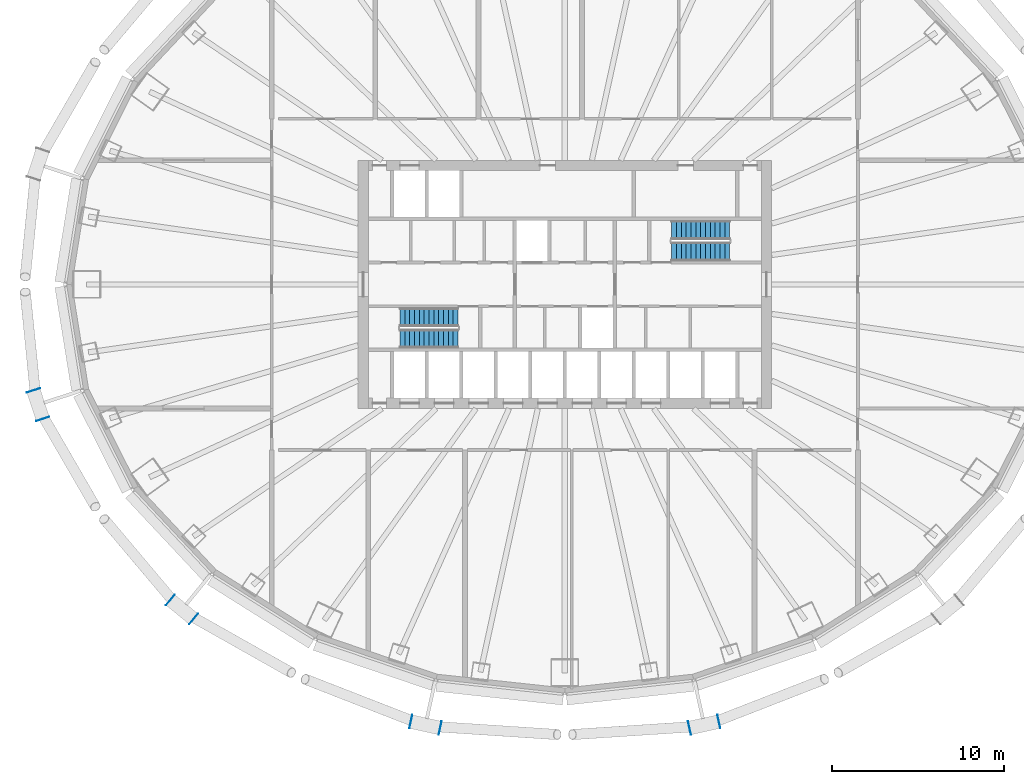
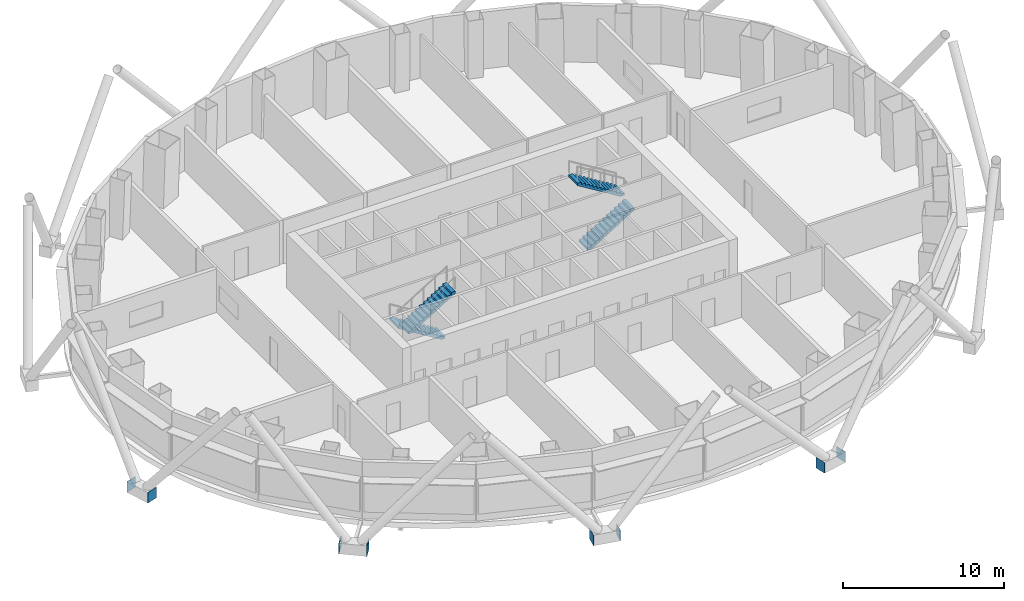
# One storey, part 7 of 14: 8 discrete accessories, 4 stair flights, 2 elements without a shape of their own.
"""IFC4 building model written with IfcOpenShell, lengths in metres."""

from ifc_helpers import new_model, si_unit, direction, frame, origin, origin_2d, place, context, subcontext, project, spatial, polyline, rectangle, outline, extrude, material, layer, layer_set, type_object, element, aggregate, save


model = new_model("IFC4")

# Units and contexts
model_context = context("Model", 3, precision=1e-05, world=origin(), true_north=direction((0.0, 1.0)))
body_context = subcontext(model_context, "Body", "Model", "MODEL_VIEW")
ifc_project = project(units=[si_unit("LENGTHUNIT", "METRE"), si_unit("AREAUNIT", "SQUARE_METRE"), si_unit("VOLUMEUNIT", "CUBIC_METRE"), si_unit("PLANEANGLEUNIT", "RADIAN"), si_unit("MASSUNIT", "GRAM", prefix="KILO")], contexts=[model_context])

# Site, building, storey
site_placement = place(None, origin())
site = spatial("IfcSite", under=ifc_project, at=site_placement, CompositionType="ELEMENT")
building_placement = place(site_placement, origin())
building = spatial("IfcBuilding", under=site, at=building_placement, Name="Siaravel Broadcast Tower", CompositionType="ELEMENT")
storey_placement = place(building_placement, frame((0.0, 0.0, 20.0)))
storey = spatial("IfcBuildingStorey", under=building, at=storey_placement, Name="L03", CompositionType="ELEMENT", Elevation=20.0)

# Stair, stair flights
ifc_material_1 = material(Name="Concrete C40/50", Category="concrete")
stair_type = type_object("IfcStairType", Name="Core exit stair", PredefinedType="HALF_TURN_STAIR", material=ifc_material_1)
stair_1_placement = place(storey_placement, origin())
stair_1 = element("IfcStair", 1, at=stair_1_placement, inside=storey, type_object=stair_type, Name="L03 Exit stair ST-1", PredefinedType="HALF_TURN_STAIR")
stair_flight_type = type_object("IfcStairFlightType", Name="Stair flight 1100", PredefinedType="STRAIGHT", material=ifc_material_1)
stair_flight_1_placement = place(storey_placement, frame((-6.199951171875, -1.89990234375, 0.0), z_axis=(0.0, 0.0, 1.0), x_axis=(-1.0, 0.0, 0.0)))
stair_flight_1 = element("IfcStairFlight", 2, at=stair_flight_1_placement, type_object=stair_flight_type, Name="ST-1 flight 1", NumberOfRisers=13, NumberOfTreads=12, PredefinedType="STRAIGHT", RiserHeight=0.1730769, TreadLength=0.28, context=body_context, shape_type="SweptSolid", body=[
    extrude(outline(polyline([(0.0, 0.0), (0.0, 0.173095703125), (0.280029296875, 0.173095703125), (0.280029296875, 0.34619140625), (0.56005859375, 0.34619140625), (0.56005859375, 0.519287109375), (0.840087890625, 0.519287109375), (0.840087890625, 0.6923828125), (1.1201171875, 0.6923828125), (1.1201171875, 0.865478515625), (1.39990234375, 0.865478515625), (1.39990234375, 1.03857421875), (1.679931640625, 1.03857421875), (1.679931640625, 1.21142578125), (1.9599609375, 1.21142578125), (1.9599609375, 1.384521484375), (2.239990234375, 1.384521484375), (2.239990234375, 1.5576171875), (2.52001953125, 1.5576171875), (2.52001953125, 1.730712890625), (2.800048828125, 1.730712890625), (2.800048828125, 1.90380859375), (3.080078125, 1.90380859375), (3.080078125, 2.076904296875), (3.360107421875, 2.076904296875), (3.360107421875, 2.25), (3.360107421875, 1.900634765625), (0.28515625, 0.0), (0.0, 0.0)])), frame((0.0, 0.550048828125, 0.0), z_axis=(0.0, -1.0, 0.0), x_axis=(1.0, 0.0, 0.0)), (0.0, 0.0, 1.0), 1.10009765625),
])
stair_flight_2_placement = place(storey_placement, frame((-9.56005859375, -3.14990234375, 2.25), z_axis=(0.0, 0.0, 1.0), x_axis=(1.0, 0.0, 0.0)))
stair_flight_2 = element("IfcStairFlight", 3, at=stair_flight_2_placement, type_object=stair_flight_type, Name="ST-1 flight 2", NumberOfRisers=13, NumberOfTreads=12, PredefinedType="STRAIGHT", RiserHeight=0.1730769, TreadLength=0.28, context=body_context, shape_type="SweptSolid", body=[
    extrude(outline(polyline([(0.0, 0.0), (0.0, 0.173095703125), (0.280029296875, 0.173095703125), (0.280029296875, 0.34619140625), (0.56005859375, 0.34619140625), (0.56005859375, 0.519287109375), (0.840087890625, 0.519287109375), (0.840087890625, 0.6923828125), (1.1201171875, 0.6923828125), (1.1201171875, 0.865478515625), (1.39990234375, 0.865478515625), (1.39990234375, 1.03857421875), (1.679931640625, 1.03857421875), (1.679931640625, 1.21142578125), (1.9599609375, 1.21142578125), (1.9599609375, 1.384521484375), (2.239990234375, 1.384521484375), (2.239990234375, 1.5576171875), (2.52001953125, 1.5576171875), (2.52001953125, 1.730712890625), (2.800048828125, 1.730712890625), (2.800048828125, 1.90380859375), (3.080078125, 1.90380859375), (3.080078125, 2.076904296875), (3.360107421875, 2.076904296875), (3.360107421875, 2.25), (3.360107421875, 1.900634765625), (0.28515625, 0.0), (0.0, 0.0)])), frame((0.0, 0.550048828125, 0.0), z_axis=(0.0, -1.0, 0.0), x_axis=(1.0, 0.0, 0.0)), (0.0, 0.0, 1.0), 1.10009765625),
])
aggregate(stair_1, [stair_flight_1, stair_flight_2])

stair_2_placement = place(storey_placement, origin())
stair_2 = element("IfcStair", 4, at=stair_2_placement, inside=storey, type_object=stair_type, Name="L03 Exit stair ST-2", PredefinedType="HALF_TURN_STAIR")
stair_flight_3_placement = place(storey_placement, frame((6.199951171875, 1.89990234375, 0.0), z_axis=(0.0, 0.0, 1.0), x_axis=(1.0, 0.0, 0.0)))
stair_flight_3 = element("IfcStairFlight", 5, at=stair_flight_3_placement, type_object=stair_flight_type, Name="ST-2 flight 1", NumberOfRisers=13, NumberOfTreads=12, PredefinedType="STRAIGHT", RiserHeight=0.1730769, TreadLength=0.28, context=body_context, shape_type="SweptSolid", body=[
    extrude(outline(polyline([(0.0, 0.0), (0.0, 0.173095703125), (0.280029296875, 0.173095703125), (0.280029296875, 0.34619140625), (0.56005859375, 0.34619140625), (0.56005859375, 0.519287109375), (0.840087890625, 0.519287109375), (0.840087890625, 0.6923828125), (1.1201171875, 0.6923828125), (1.1201171875, 0.865478515625), (1.39990234375, 0.865478515625), (1.39990234375, 1.03857421875), (1.679931640625, 1.03857421875), (1.679931640625, 1.21142578125), (1.9599609375, 1.21142578125), (1.9599609375, 1.384521484375), (2.239990234375, 1.384521484375), (2.239990234375, 1.5576171875), (2.52001953125, 1.5576171875), (2.52001953125, 1.730712890625), (2.800048828125, 1.730712890625), (2.800048828125, 1.90380859375), (3.080078125, 1.90380859375), (3.080078125, 2.076904296875), (3.360107421875, 2.076904296875), (3.360107421875, 2.25), (3.360107421875, 1.900634765625), (0.28515625, 0.0), (0.0, 0.0)])), frame((0.0, 0.550048828125, 0.0), z_axis=(0.0, -1.0, 0.0), x_axis=(1.0, 0.0, 0.0)), (0.0, 0.0, 1.0), 1.10009765625),
])
stair_flight_4_placement = place(storey_placement, frame((9.56005859375, 3.14990234375, 2.25), z_axis=(0.0, 0.0, 1.0), x_axis=(-1.0, 0.0, 0.0)))
stair_flight_4 = element("IfcStairFlight", 6, at=stair_flight_4_placement, type_object=stair_flight_type, Name="ST-2 flight 2", NumberOfRisers=13, NumberOfTreads=12, PredefinedType="STRAIGHT", RiserHeight=0.1730769, TreadLength=0.28, context=body_context, shape_type="SweptSolid", body=[
    extrude(outline(polyline([(0.0, 0.0), (0.0, 0.173095703125), (0.280029296875, 0.173095703125), (0.280029296875, 0.34619140625), (0.56005859375, 0.34619140625), (0.56005859375, 0.519287109375), (0.840087890625, 0.519287109375), (0.840087890625, 0.6923828125), (1.1201171875, 0.6923828125), (1.1201171875, 0.865478515625), (1.39990234375, 0.865478515625), (1.39990234375, 1.03857421875), (1.679931640625, 1.03857421875), (1.679931640625, 1.21142578125), (1.9599609375, 1.21142578125), (1.9599609375, 1.384521484375), (2.239990234375, 1.384521484375), (2.239990234375, 1.5576171875), (2.52001953125, 1.5576171875), (2.52001953125, 1.730712890625), (2.800048828125, 1.730712890625), (2.800048828125, 1.90380859375), (3.080078125, 1.90380859375), (3.080078125, 2.076904296875), (3.360107421875, 2.076904296875), (3.360107421875, 2.25), (3.360107421875, 1.900634765625), (0.28515625, 0.0), (0.0, 0.0)])), frame((0.0, 0.550048828125, 0.0), z_axis=(0.0, -1.0, 0.0), x_axis=(1.0, 0.0, 0.0)), (0.0, 0.0, 1.0), 1.10009765625),
])
aggregate(stair_2, [stair_flight_3, stair_flight_4])

# Discrete accessories
ifc_material_2 = material(Name="Steel S355", Category="steel")
ifc_layer = layer(ifc_material_2, 0.02001953125)
ifc_layer_set = layer_set([ifc_layer], Name="Steel S355")
discrete_accessory_type = type_object("IfcDiscreteAccessoryType", Name="Steel end plate 20 mm", PredefinedType="USERDEFINED", material=ifc_layer_set)
for number, where, z_axis, x_axis, name in (
    (7, (-30.284912109375, -7.7998046875, -0.60009765625), (0.0, 0.0, 1.0), (0.310908675, -0.950439791, 0.0), "End plate R02 station 39A"),
    (8, (-30.825927734375, -6.14501953125, -0.60009765625), (0.0, 0.0, 1.0), (0.310908675, -0.950439791, 0.0), "End plate R02 station 39B"),
    (9, (-21.533203125, -19.4033203125, -0.60009765625), (0.0, 0.0, 1.0), (0.773604694, -0.633668508, 0.0), "End plate R02 station 45A"),
    (10, (-22.880126953125, -18.300048828125, -0.60009765625), (0.0, 0.0, 1.0), (0.773604694, -0.633668508, 0.0), "End plate R02 station 45B"),
    (11, (-7.232177734375, -25.73046875, -0.60009765625), (0.0, 0.0, 1.0), (0.976750917, -0.214377344, 0.0), "End plate R02 station 51A"),
    (12, (-8.932861328125, -25.357177734375, -0.60009765625), (0.0, 0.0, 1.0), (0.976750917, -0.214377344, 0.0), "End plate R02 station 51B"),
    (13, (8.932861328125, -25.357177734375, -0.60009765625), (0.0, 0.0, 1.0), (0.976750917, 0.214377344, 0.0), "End plate R02 station 57A"),
    (14, (7.232177734375, -25.73046875, -0.60009765625), (0.0, 0.0, 1.0), (0.976750917, 0.214377344, 0.0), "End plate R02 station 57B"),
):
    element("IfcDiscreteAccessory", number, at=place(storey_placement, frame(where, z_axis=z_axis, x_axis=x_axis)), inside=storey, type_object=discrete_accessory_type, Name=name, ObjectType="END PLATE", PredefinedType="USERDEFINED", context=body_context, shape_type="SweptSolid", body=[
        extrude(rectangle(XDim=0.02001953125, YDim=0.800048828125, at=origin_2d()), origin(), (0.0, 0.0, 1.0), 0.800048828125),
    ])

save(model, "model.ifc")
